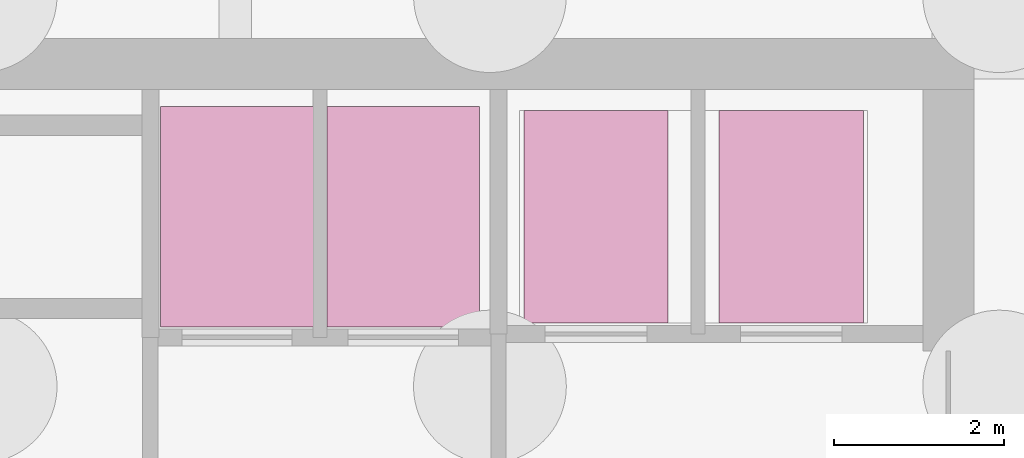
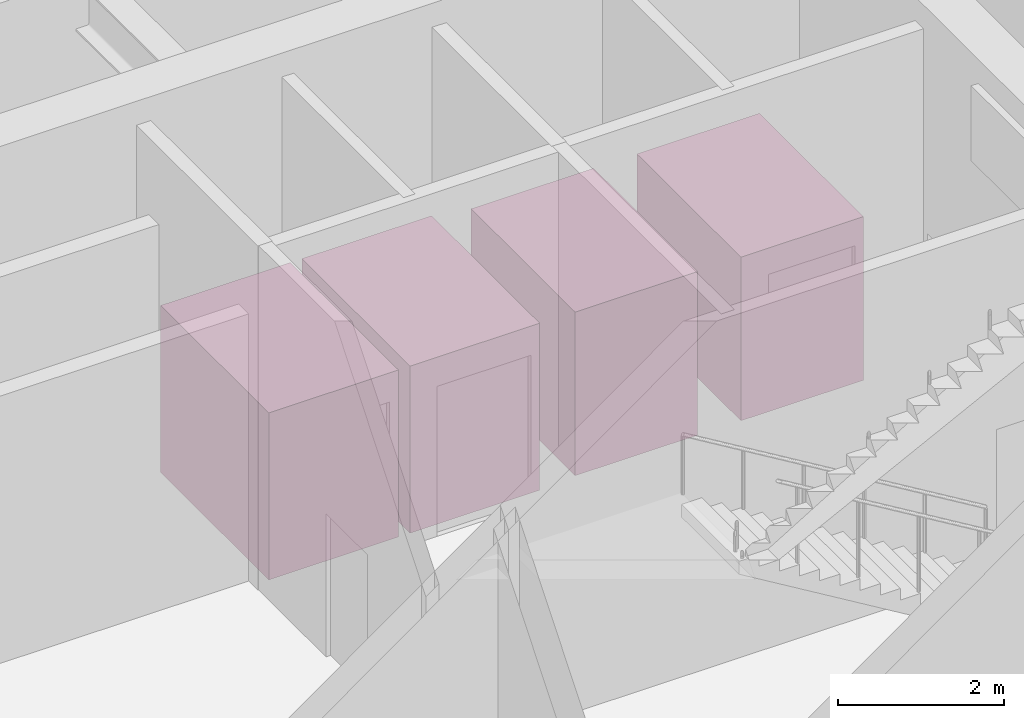
# One storey, part 9 of 9: 4 transport elements.
"""IFC4 building model written with IfcOpenShell, lengths in metres."""

import ifcopenshell
import ifcopenshell.guid

model = None  # the IFC model being written
_history = None  # IfcOwnerHistory: only IFC2X3 demands one
_inside = {}  # id of a spatial element -> (the spatial element, [elements in it])
_under = {}  # id of a project, library or spatial element -> (it, [spatial elements below it])
_declared = {}  # id of a project -> (the project, [libraries it declares])
_typed = {}  # id of a type object -> (the type object, [elements of that type])
_made_of = {}  # id of a material, layer set ... -> (it, [elements and type objects made of it])


def new_model(schema):
    """Start an empty IFC model of exactly this schema.

    Asked for "IFC4X3", IfcOpenShell would pick the latest addendum, in which some entities
    have other attributes; the version numbers below select the first issue.
    IFC2X3 requires an IfcOwnerHistory on every rooted entity: one is made here for all.
    """
    global model, _history
    if schema == "IFC4X3":
        model = ifcopenshell.file(schema_version=(4, 3, 0, 0))
    else:
        model = ifcopenshell.file(schema=schema)
    _inside.clear()
    _under.clear()
    _declared.clear()
    _typed.clear()
    _made_of.clear()
    _history = None
    if model.schema == "IFC2X3":
        org = make("IfcOrganization", Name="unknown")
        user = make(
            "IfcPersonAndOrganization",
            ThePerson=make("IfcPerson", FamilyName="unknown"),
            TheOrganization=org,
        )
        app = make(
            "IfcApplication",
            ApplicationDeveloper=org,
            Version="unknown",
            ApplicationFullName="unknown",
            ApplicationIdentifier="unknown",
        )
        _history = make(
            "IfcOwnerHistory",
            OwningUser=user,
            OwningApplication=app,
            ChangeAction="ADDED",
            CreationDate=0,
        )
    return model


def make(cls, **values):
    """One entity of the class cls with the attributes given. An attribute that is None is left unset."""
    return model.create_entity(
        cls, **{name: value for name, value in values.items() if value is not None}
    )


def rooted(cls, **values):
    """An entity with a GlobalId (a new one), such as an element, a storey or a relation."""
    return make(cls, GlobalId=ifcopenshell.guid.new(), OwnerHistory=_history, **values)


def si_unit(unit_type, name, prefix=None):
    """IfcSIUnit, for example si_unit("LENGTHUNIT", "METRE", prefix="MILLI")."""
    return make("IfcSIUnit", UnitType=unit_type, Prefix=prefix, Name=name)


def assignment(units):
    """IfcUnitAssignment: the units of a project."""
    return None if units is None else make("IfcUnitAssignment", Units=units)


def point(xyz):
    """IfcCartesianPoint."""
    return None if xyz is None else make("IfcCartesianPoint", Coordinates=xyz)


def direction(xyz):
    """IfcDirection."""
    return None if xyz is None else make("IfcDirection", DirectionRatios=xyz)


def frame(location, z_axis=None, x_axis=None):
    """IfcAxis2Placement3D, a coordinate frame: its origin and axes. An axis left out is left unset."""
    return make(
        "IfcAxis2Placement3D",
        Location=point(location),
        Axis=direction(z_axis),
        RefDirection=direction(x_axis),
    )


def frame_2d(location, x_axis=None):
    """IfcAxis2Placement2D, a coordinate frame in the plane: its origin and x axis."""
    return make(
        "IfcAxis2Placement2D", Location=point(location), RefDirection=direction(x_axis)
    )


def origin():
    """The frame at (0, 0, 0) with its axes left unset."""
    return frame((0.0, 0.0, 0.0))


def origin_2d():
    """The frame at (0, 0) in the plane with its x axis left unset."""
    return frame_2d((0.0, 0.0))


def place(relative_to, where):
    """IfcLocalPlacement: puts the frame where relative to a parent placement (None: the world)."""
    return make(
        "IfcLocalPlacement", PlacementRelTo=relative_to, RelativePlacement=where
    )


def context(
    kind, dimensions, precision=None, world=None, true_north=None, identifier=None
):
    """IfcGeometricRepresentationContext, for example the 3D "Model" context."""
    return make(
        "IfcGeometricRepresentationContext",
        ContextIdentifier=identifier,
        ContextType=kind,
        CoordinateSpaceDimension=dimensions,
        Precision=precision,
        WorldCoordinateSystem=world,
        TrueNorth=true_north,
    )


def subcontext(parent, identifier, kind, view, scale=None):
    """IfcGeometricRepresentationSubContext, for example "Body" below "Model"."""
    return make(
        "IfcGeometricRepresentationSubContext",
        ContextIdentifier=identifier,
        ContextType=kind,
        ParentContext=parent,
        TargetScale=scale,
        TargetView=view,
    )


def project(units=None, contexts=None):
    """IfcProject with its units and contexts."""
    return rooted(
        "IfcProject",
        Name="project",
        RepresentationContexts=contexts,
        UnitsInContext=assignment(units),
    )


def spatial(cls, under=None, at=None, **own):
    """A site, building, storey or space (cls), placed at a placement, below another one or the project."""
    s = rooted(cls, ObjectPlacement=at, **own)
    if under is not None:
        _under.setdefault(under.id(), (under, []))[1].append(s)
    return s


def profile(cls, at=None, kind="AREA", **sizes):
    """A parametric profile (cls). Its sizes go by their IFC names, for example OverallWidth=200.0."""
    return make(cls, ProfileType=kind, Position=at, **sizes)


def rectangle(**sizes):
    """IfcRectangleProfileDef."""
    return profile("IfcRectangleProfileDef", **sizes)


def extrude(swept, where, along, depth):
    """IfcExtrudedAreaSolid: the profile swept, set in the frame where, extruded along a direction by depth."""
    return make(
        "IfcExtrudedAreaSolid",
        SweptArea=swept,
        Position=where,
        ExtrudedDirection=direction(along),
        Depth=depth,
    )


def shape(context_of_items, identifier, shape_type, items):
    """IfcShapeRepresentation: the items that make up one representation, for example the "Body"."""
    return make(
        "IfcShapeRepresentation",
        ContextOfItems=context_of_items,
        RepresentationIdentifier=identifier,
        RepresentationType=shape_type,
        Items=items,
    )


def material(Name=None, Category=None):
    """IfcMaterial."""
    return make("IfcMaterial", Name=Name, Category=Category)


def made_of(thing, what):
    """Note that an element or type object is made of a material, layer set ...; save() writes the relation."""
    if what is not None:
        _made_of.setdefault(what.id(), (what, []))[1].append(thing)
    return thing


def type_object(cls, material=None, **own):
    """A type object (cls), such as IfcWallType, which elements share."""
    return made_of(rooted(cls, **own), material)


def element(
    cls,
    number,
    at=None,
    inside=None,
    cuts=None,
    type_object=None,
    material=None,
    context=None,
    identifier="Body",
    shape_type=None,
    held_by="IfcProductDefinitionShape",
    body=None,
    shapes=None,
    **own,
):
    """One element of the class cls, such as IfcWall. Its Tag is "e" and its number.

    at: its placement. inside: the storey or other place that contains it. cuts: it is an
    opening in that element (IfcRelVoidsElement). A single representation is given by context,
    identifier, shape_type and body (its items); several are given by shapes. held_by: the class
    of the entity that holds the representations. save() writes the other relations.
    """
    e = rooted(cls, Tag="e%d" % number, ObjectPlacement=at, **own)
    if body is not None:
        shapes = [shape(context, identifier, shape_type, body)]
    if shapes is not None:
        e.Representation = make(held_by, Representations=shapes)
    if inside is not None:
        _inside.setdefault(inside.id(), (inside, []))[1].append(e)
    if cuts is not None:
        rooted(
            "IfcRelVoidsElement", RelatingBuildingElement=cuts, RelatedOpeningElement=e
        )
    if type_object is not None:
        _typed.setdefault(type_object.id(), (type_object, []))[1].append(e)
    return made_of(e, material)


def aggregate(whole, parts):
    """IfcRelAggregates: a whole, such as a stair, and the parts it consists of."""
    return rooted("IfcRelAggregates", RelatingObject=whole, RelatedObjects=parts)


def save(model, path):
    """Write the relations noted so far, then the file.

    IfcRelAggregates (storeys below a building ...), IfcRelContainedInSpatialStructure (elements
    in a storey), IfcRelDefinesByType, IfcRelAssociatesMaterial and IfcRelDeclares: one each for
    every whole, place, type object, material and project.
    """
    for whole, parts in _under.values():
        aggregate(whole, parts)
    for where, things in _inside.values():
        rooted(
            "IfcRelContainedInSpatialStructure",
            RelatedElements=things,
            RelatingStructure=where,
        )
    for kind, things in _typed.values():
        rooted("IfcRelDefinesByType", RelatedObjects=things, RelatingType=kind)
    for what, things in _made_of.values():
        rooted("IfcRelAssociatesMaterial", RelatedObjects=things, RelatingMaterial=what)
    for by, libraries in _declared.values():
        rooted("IfcRelDeclares", RelatingContext=by, RelatedDefinitions=libraries)
    model.write(path)


model = new_model("IFC4")

# Units and contexts
model_context = context("Model", 3, precision=1e-05, world=origin(), true_north=direction((0.0, 1.0)))
body_context = subcontext(model_context, "Body", "Model", "MODEL_VIEW")
ifc_project = project(units=[si_unit("LENGTHUNIT", "METRE"), si_unit("AREAUNIT", "SQUARE_METRE"), si_unit("VOLUMEUNIT", "CUBIC_METRE"), si_unit("PLANEANGLEUNIT", "RADIAN"), si_unit("MASSUNIT", "GRAM", prefix="KILO")], contexts=[model_context])

# Site, building, storey
site_placement = place(None, origin())
site = spatial("IfcSite", under=ifc_project, at=site_placement, CompositionType="ELEMENT")
building_placement = place(site_placement, origin())
building = spatial("IfcBuilding", under=site, at=building_placement, Name="Drelvath Grand Hotel", CompositionType="ELEMENT")
storey_placement = place(building_placement, frame((0.0, 0.0, -10.800048828125)))
storey = spatial("IfcBuildingStorey", under=building, at=storey_placement, Name="B2", CompositionType="ELEMENT", Elevation=-10.800048828125)

# Transport elements
ifc_material = material(Name="Stainless Steel S355", Category="steel")
transport_element_type_1 = type_object("IfcTransportElementType", Name="Fire Service Access Elevator 2000kg", PredefinedType="ELEVATOR", material=ifc_material)
for number, where, z_axis, x_axis, name in (
    (1, (4.25, 33.60009765625, 0.0), (0.0, 0.0, 1.0), (1.0, 0.0, 0.0), "Elevator FSAE-1"),
    (2, (6.550048828125, 33.60009765625, 0.0), (0.0, 0.0, 1.0), (1.0, 0.0, 0.0), "Elevator FSAE-2"),
):
    element("IfcTransportElement", number, at=place(storey_placement, frame(where, z_axis=z_axis, x_axis=x_axis)), inside=storey, type_object=transport_element_type_1, Name=name, PredefinedType="ELEVATOR", context=body_context, shape_type="SweptSolid", body=[
        extrude(rectangle(XDim=1.699951171875, YDim=2.5, at=origin_2d()), origin(), (0.0, 0.0, 1.0), 2.39990234375),
    ])
transport_element_type_2 = type_object("IfcTransportElementType", Name="Goods and Housekeeping Service Elevator 2250kg", PredefinedType="ELEVATOR", material=ifc_material)
for number, where, z_axis, x_axis, name in (
    (3, (1.97998046875, 33.60009765625, 0.0), (0.0, 0.0, 1.0), (1.0, 0.0, 0.0), "Elevator SV-1"),
    (4, (0.02001953125, 33.60009765625, 0.0), (0.0, 0.0, 1.0), (1.0, 0.0, 0.0), "Elevator SV-2"),
):
    element("IfcTransportElement", number, at=place(storey_placement, frame(where, z_axis=z_axis, x_axis=x_axis)), inside=storey, type_object=transport_element_type_2, Name=name, PredefinedType="ELEVATOR", context=body_context, shape_type="SweptSolid", body=[
        extrude(rectangle(XDim=1.800048828125, YDim=2.60009765625, at=origin_2d()), origin(), (0.0, 0.0, 1.0), 2.449951171875),
    ])

save(model, "model.ifc")
